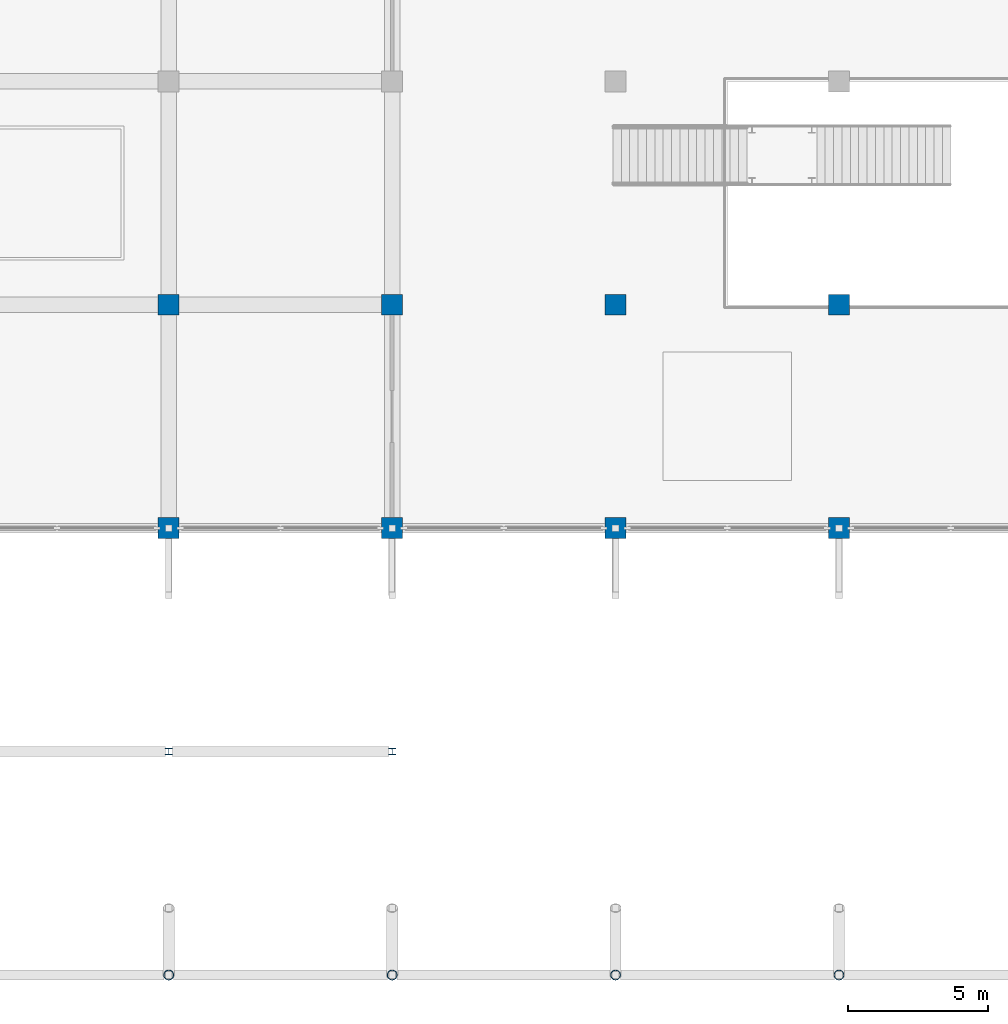
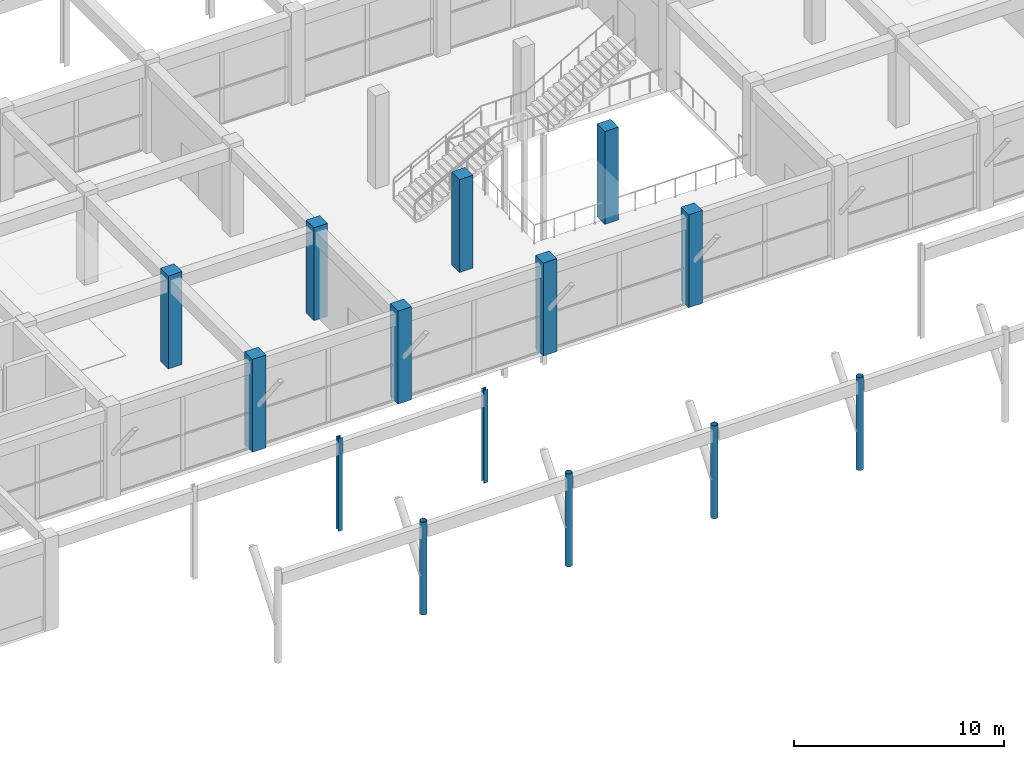
# One storey, part 4 of 69: 14 columns.
"""IFC4 building model written with IfcOpenShell, lengths in metres."""

from ifc_helpers import new_model, si_unit, direction, frame, origin, origin_2d, place, context, subcontext, project, spatial, rectangle, hollow_circle, i_section, extrude, material, material_profile, profile_set, type_object, element, save


model = new_model("IFC4")

# Units and contexts
model_context = context("Model", 3, precision=1e-05, world=origin(), true_north=direction((0.0, 1.0)))
body_context = subcontext(model_context, "Body", "Model", "MODEL_VIEW")
ifc_project = project(units=[si_unit("LENGTHUNIT", "METRE"), si_unit("AREAUNIT", "SQUARE_METRE"), si_unit("VOLUMEUNIT", "CUBIC_METRE"), si_unit("PLANEANGLEUNIT", "RADIAN"), si_unit("MASSUNIT", "GRAM", prefix="KILO")], contexts=[model_context])

# Site, building, storey
site_placement = place(None, origin())
site = spatial("IfcSite", under=ifc_project, at=site_placement, CompositionType="ELEMENT")
building_placement = place(site_placement, origin())
building = spatial("IfcBuilding", under=site, at=building_placement, Name="Kenh Van Central Station", CompositionType="ELEMENT")
storey_placement = place(building_placement, frame((0.0, 0.0, 5.39990234375)))
storey = spatial("IfcBuildingStorey", under=building, at=storey_placement, Name="L01", CompositionType="ELEMENT", Elevation=5.39990234375)

# Columns
ifc_material_1 = material(Name="Concrete C40/50", Category="concrete")
ifc_material_profile_1 = material_profile(ifc_material_1, rectangle(XDim=0.75, YDim=0.75, at=origin_2d()), Name="RC 750x750")
ifc_profile_set_1 = profile_set([ifc_material_profile_1], Name="Concrete C40/50")
column_type_1 = type_object("IfcColumnType", Name="COL-RC-750x750", PredefinedType="COLUMN", material=ifc_profile_set_1)
for number, where, z_axis, x_axis, name in (
    (1, (64.0, 16.0, 0.0), (0.0, 0.0, 1.0), (1.0, 0.0, 0.0), "L01 column CC-064-016"),
    (2, (64.0, 24.0, 0.0), (0.0, 0.0, 1.0), (1.0, 0.0, 0.0), "L01 column CC-064-024"),
    (3, (72.0, 16.0, 0.0), (0.0, 0.0, 1.0), (1.0, 0.0, 0.0), "L01 column CC-072-016"),
    (4, (72.0, 24.0, 0.0), (0.0, 0.0, 1.0), (1.0, 0.0, 0.0), "L01 column CC-072-024"),
    (5, (80.0, 16.0, 0.0), (0.0, 0.0, 1.0), (1.0, 0.0, 0.0), "L01 column CC-080-016"),
    (6, (80.0, 24.0, 0.0), (0.0, 0.0, 1.0), (1.0, 0.0, 0.0), "L01 column CC-080-024"),
    (7, (88.0, 16.0, 0.0), (0.0, 0.0, 1.0), (1.0, 0.0, 0.0), "L01 column CC-088-016"),
    (8, (88.0, 24.0, 0.0), (0.0, 0.0, 1.0), (1.0, 0.0, 0.0), "L01 column CC-088-024"),
):
    element("IfcColumn", number, at=place(storey_placement, frame(where, z_axis=z_axis, x_axis=x_axis)), inside=storey, type_object=column_type_1, Name=name, PredefinedType="COLUMN", context=body_context, shape_type="SweptSolid", body=[
        extrude(rectangle(XDim=0.75, YDim=0.75, at=origin_2d()), origin(), (0.0, 0.0, 1.0), 5.400146484375),
    ])
ifc_material_2 = material(Name="Steel S355", Category="steel")
ifc_material_profile_2 = material_profile(ifc_material_2, hollow_circle(Radius=0.177734375, WallThickness=0.012451171875, at=origin_2d()), Name="CHS 355.6x12.5")
ifc_profile_set_2 = profile_set([ifc_material_profile_2], Name="Steel S355")
column_type_2 = type_object("IfcColumnType", Name="COL-STL-CAN356", PredefinedType="COLUMN", material=ifc_profile_set_2)
for number, where, z_axis, x_axis, name in (
    (9, (64.0, 0.0, 0.0), (0.0, 0.0, 1.0), (1.0, 0.0, 0.0), "L01 column CF-064-000"),
    (10, (72.0, 0.0, 0.0), (0.0, 0.0, 1.0), (1.0, 0.0, 0.0), "L01 column CF-072-000"),
    (11, (80.0, 0.0, 0.0), (0.0, 0.0, 1.0), (1.0, 0.0, 0.0), "L01 column CF-080-000"),
    (12, (88.0, 0.0, 0.0), (0.0, 0.0, 1.0), (1.0, 0.0, 0.0), "L01 column CF-088-000"),
):
    element("IfcColumn", number, at=place(storey_placement, frame(where, z_axis=z_axis, x_axis=x_axis)), inside=storey, type_object=column_type_2, Name=name, PredefinedType="COLUMN", context=body_context, shape_type="SweptSolid", body=[
        extrude(hollow_circle(Radius=0.177734375, WallThickness=0.012451171875, at=origin_2d()), origin(), (0.0, 0.0, 1.0), 5.400146484375),
    ])
ifc_material_profile_3 = material_profile(ifc_material_2, i_section(OverallWidth=0.239990234375, OverallDepth=0.239990234375, WebThickness=0.010009765625, FlangeThickness=0.01708984375, FilletRadius=0.02099609375, at=origin_2d()), Name="HEB 240")
ifc_profile_set_3 = profile_set([ifc_material_profile_3], Name="Steel S355")
column_type_3 = type_object("IfcColumnType", Name="COL-STL-HEB240", PredefinedType="COLUMN", material=ifc_profile_set_3)
for number, where, z_axis, x_axis, name in (
    (13, (64.0, 8.0, 0.0), (0.0, 0.0, 1.0), (1.0, 0.0, 0.0), "L01 column CF-064-008"),
    (14, (72.0, 8.0, 0.0), (0.0, 0.0, 1.0), (1.0, 0.0, 0.0), "L01 column CF-072-008"),
):
    element("IfcColumn", number, at=place(storey_placement, frame(where, z_axis=z_axis, x_axis=x_axis)), inside=storey, type_object=column_type_3, Name=name, PredefinedType="COLUMN", context=body_context, shape_type="SweptSolid", body=[
        extrude(i_section(OverallWidth=0.239990234375, OverallDepth=0.239990234375, WebThickness=0.010009765625, FlangeThickness=0.01708984375, FilletRadius=0.02099609375, at=origin_2d()), origin(), (0.0, 0.0, 1.0), 5.400146484375),
    ])

save(model, "model.ifc")
